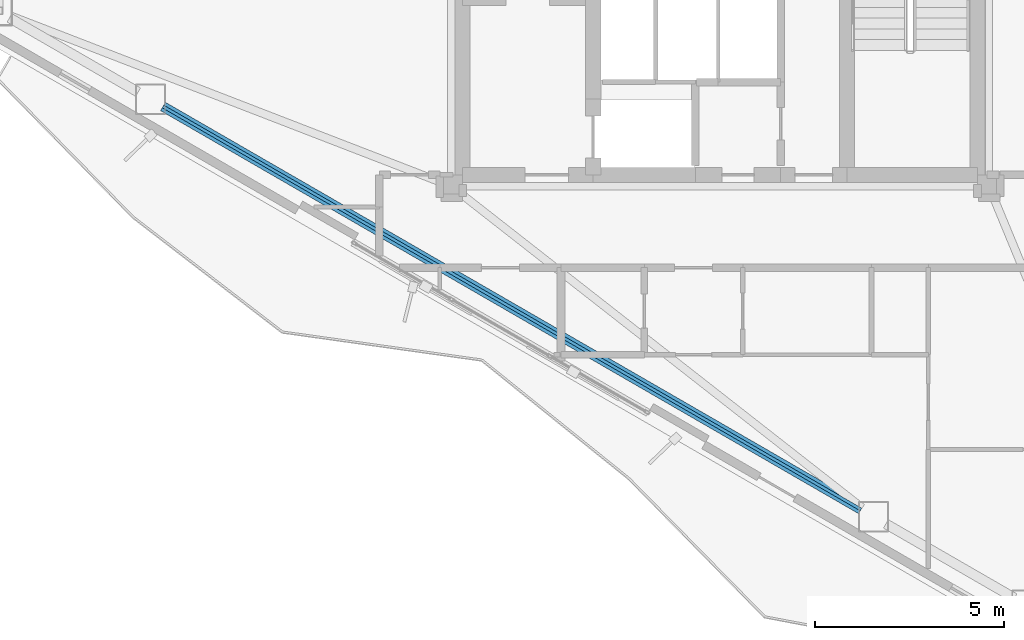
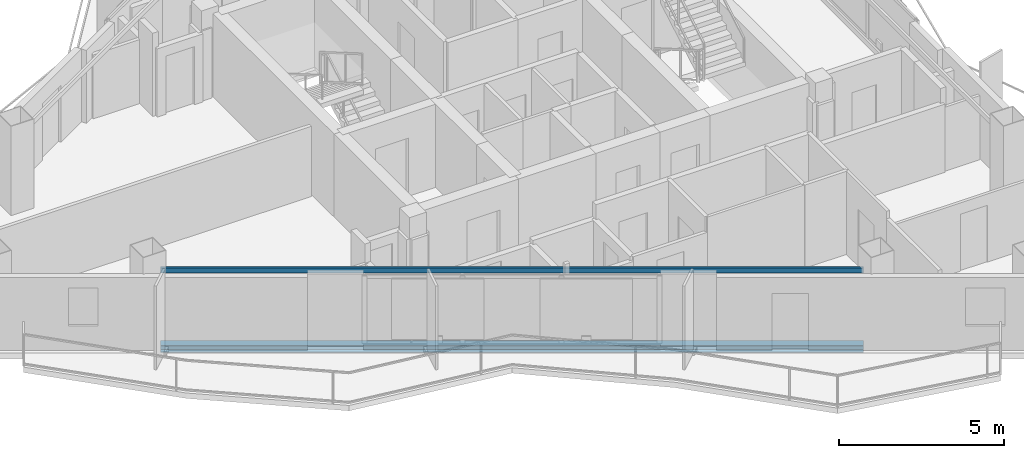
# One storey, part 3 of 22: 2 beams.
"""IFC4 building model written with IfcOpenShell, lengths in metres."""

from ifc_helpers import new_model, si_unit, direction, frame, origin, origin_2d, place, context, subcontext, project, spatial, hollow_rectangle, i_section, extrude, material, material_profile, profile_set, type_object, element, save


model = new_model("IFC4")

# Units and contexts
model_context = context("Model", 3, precision=1e-05, world=origin(), true_north=direction((0.0, 1.0)))
body_context = subcontext(model_context, "Body", "Model", "MODEL_VIEW")
ifc_project = project(units=[si_unit("LENGTHUNIT", "METRE"), si_unit("AREAUNIT", "SQUARE_METRE"), si_unit("VOLUMEUNIT", "CUBIC_METRE"), si_unit("PLANEANGLEUNIT", "RADIAN"), si_unit("MASSUNIT", "GRAM", prefix="KILO")], contexts=[model_context])

# Site, building, storey
site_placement = place(None, origin())
site = spatial("IfcSite", under=ifc_project, at=site_placement, CompositionType="ELEMENT")
building_placement = place(site_placement, origin())
building = spatial("IfcBuilding", under=site, at=building_placement, Name="Mersakhor Tower and Convention Hall", CompositionType="ELEMENT")
storey_placement = place(building_placement, frame((0.0, 0.0, 208.5)))
storey = spatial("IfcBuildingStorey", under=building, at=storey_placement, Name="L58", CompositionType="ELEMENT", Elevation=208.5)

# Beams
ifc_material_1 = material(Name="Steel S355", Category="steel")
ifc_material_profile_1 = material_profile(ifc_material_1, hollow_rectangle(XDim=0.080078125, YDim=0.179931640625, WallThickness=0.008056640625, at=origin_2d()), Name="RHS 180x80x8")
ifc_profile_set_1 = profile_set([ifc_material_profile_1], Name="Steel S355")
beam_type_1 = type_object("IfcBeamType", Name="BM-GRT-RHS180", PredefinedType="USERDEFINED", material=ifc_profile_set_1)
beam_1_placement = place(storey_placement, frame((32.72265625, 11.912353515625, 2.47998046875), z_axis=(-0.866024569776, 0.500001444543, 0.0), x_axis=(-0.500001444543, -0.866024569776, 0.0)))
element("IfcBeam", 1, at=beam_1_placement, inside=storey, type_object=beam_type_1, Name="L58 Facade Support Girt GRT-F3", ObjectType="GIRT", PredefinedType="USERDEFINED", context=body_context, shape_type="SweptSolid", body=[
    extrude(hollow_rectangle(XDim=0.080078125, YDim=0.179931640625, WallThickness=0.008056640625, at=origin_2d()), origin(), (0.0, 0.0, 1.0), 21.28564453125),
])
ifc_material_2 = material(Name="Steel S355", Category="steel")
ifc_material_profile_2 = material_profile(ifc_material_2, i_section(OverallWidth=0.25634765625, OverallDepth=0.26025390625, WebThickness=0.01025390625, FlangeThickness=0.017333984375, at=origin_2d()), Name="UC 254x254x89")
ifc_profile_set_2 = profile_set([ifc_material_profile_2], Name="Steel S355")
beam_type_2 = type_object("IfcBeamType", Name="BM-SPD-UC254", PredefinedType="SPANDREL", material=ifc_profile_set_2)
beam_2_placement = place(storey_placement, frame((32.72265625, 11.912353515625, -0.360107421875), z_axis=(-0.866024569776, 0.500001444543, 0.0), x_axis=(-0.500001444543, -0.866024569776, 0.0)))
element("IfcBeam", 2, at=beam_2_placement, inside=storey, type_object=beam_type_2, Name="L58 Perimeter Spandrel Beam SPB-10", PredefinedType="SPANDREL", context=body_context, shape_type="SweptSolid", body=[
    extrude(i_section(OverallWidth=0.25634765625, OverallDepth=0.26025390625, WebThickness=0.01025390625, FlangeThickness=0.017333984375, at=origin_2d()), origin(), (0.0, 0.0, 1.0), 21.28564453125),
])

save(model, "model.ifc")
